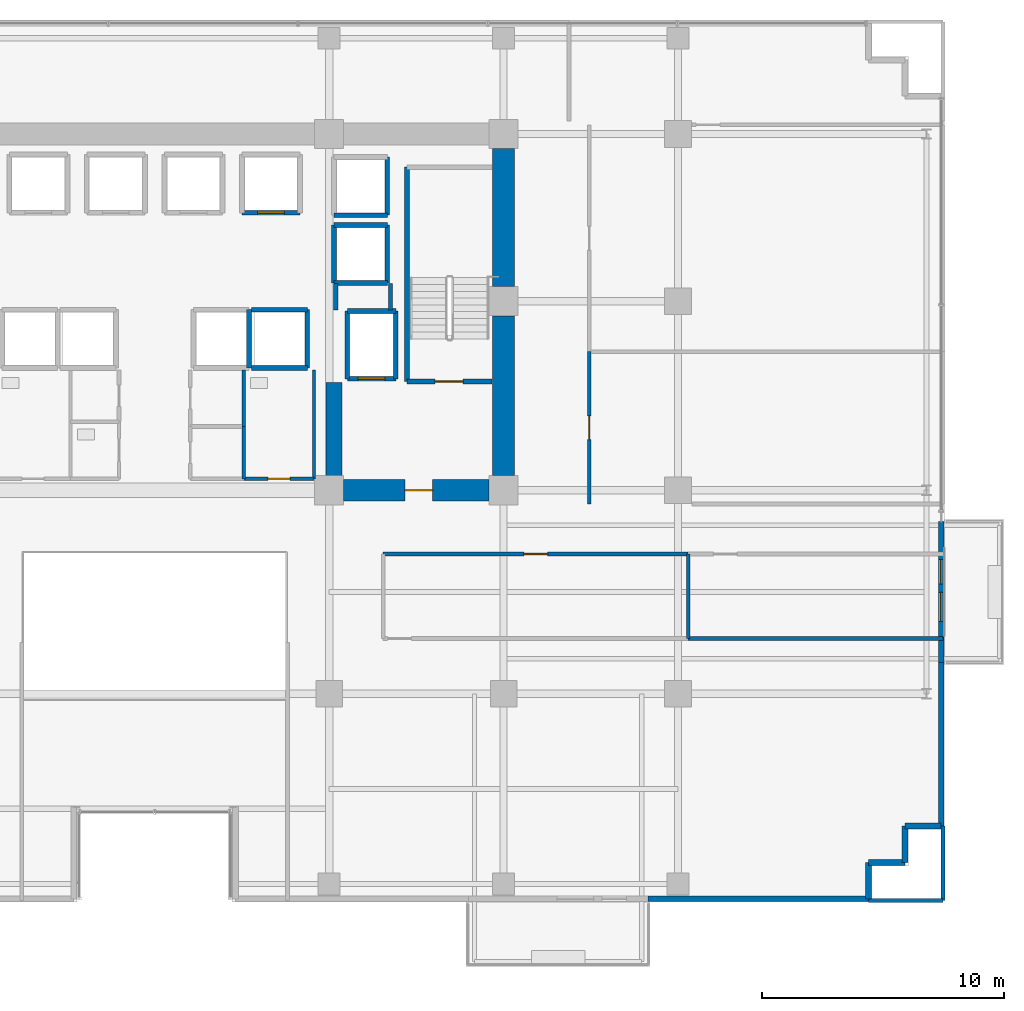
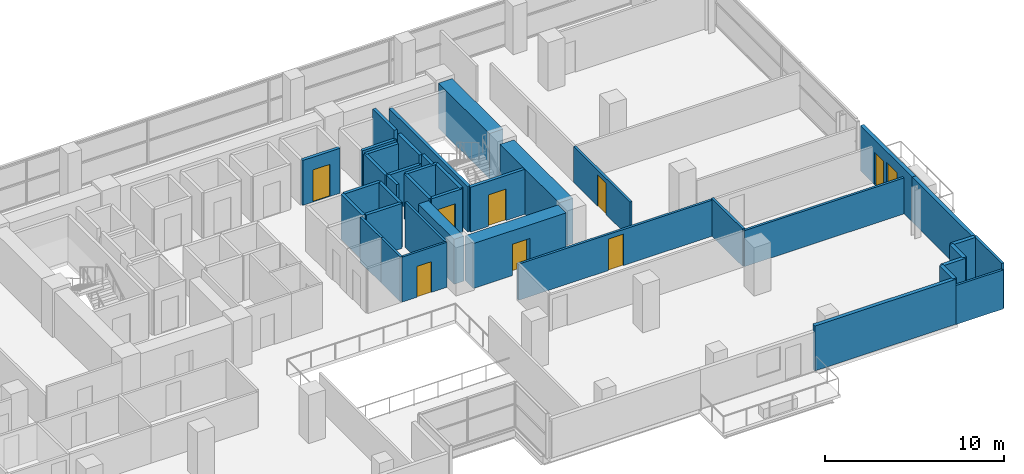
# One storey, part 21 of 26: 40 walls, 8 doors, 1 window, 9 openings.
"""IFC4 building model written with IfcOpenShell, lengths in metres."""

import ifcopenshell
import ifcopenshell.guid

model = None  # the IFC model being written
_history = None  # IfcOwnerHistory: only IFC2X3 demands one
_inside = {}  # id of a spatial element -> (the spatial element, [elements in it])
_under = {}  # id of a project, library or spatial element -> (it, [spatial elements below it])
_declared = {}  # id of a project -> (the project, [libraries it declares])
_typed = {}  # id of a type object -> (the type object, [elements of that type])
_made_of = {}  # id of a material, layer set ... -> (it, [elements and type objects made of it])


def new_model(schema):
    """Start an empty IFC model of exactly this schema.

    Asked for "IFC4X3", IfcOpenShell would pick the latest addendum, in which some entities
    have other attributes; the version numbers below select the first issue.
    IFC2X3 requires an IfcOwnerHistory on every rooted entity: one is made here for all.
    """
    global model, _history
    if schema == "IFC4X3":
        model = ifcopenshell.file(schema_version=(4, 3, 0, 0))
    else:
        model = ifcopenshell.file(schema=schema)
    _inside.clear()
    _under.clear()
    _declared.clear()
    _typed.clear()
    _made_of.clear()
    _history = None
    if model.schema == "IFC2X3":
        org = make("IfcOrganization", Name="unknown")
        user = make(
            "IfcPersonAndOrganization",
            ThePerson=make("IfcPerson", FamilyName="unknown"),
            TheOrganization=org,
        )
        app = make(
            "IfcApplication",
            ApplicationDeveloper=org,
            Version="unknown",
            ApplicationFullName="unknown",
            ApplicationIdentifier="unknown",
        )
        _history = make(
            "IfcOwnerHistory",
            OwningUser=user,
            OwningApplication=app,
            ChangeAction="ADDED",
            CreationDate=0,
        )
    return model


def make(cls, **values):
    """One entity of the class cls with the attributes given. An attribute that is None is left unset."""
    return model.create_entity(
        cls, **{name: value for name, value in values.items() if value is not None}
    )


def rooted(cls, **values):
    """An entity with a GlobalId (a new one), such as an element, a storey or a relation."""
    return make(cls, GlobalId=ifcopenshell.guid.new(), OwnerHistory=_history, **values)


def si_unit(unit_type, name, prefix=None):
    """IfcSIUnit, for example si_unit("LENGTHUNIT", "METRE", prefix="MILLI")."""
    return make("IfcSIUnit", UnitType=unit_type, Prefix=prefix, Name=name)


def assignment(units):
    """IfcUnitAssignment: the units of a project."""
    return None if units is None else make("IfcUnitAssignment", Units=units)


def point(xyz):
    """IfcCartesianPoint."""
    return None if xyz is None else make("IfcCartesianPoint", Coordinates=xyz)


def direction(xyz):
    """IfcDirection."""
    return None if xyz is None else make("IfcDirection", DirectionRatios=xyz)


def frame(location, z_axis=None, x_axis=None):
    """IfcAxis2Placement3D, a coordinate frame: its origin and axes. An axis left out is left unset."""
    return make(
        "IfcAxis2Placement3D",
        Location=point(location),
        Axis=direction(z_axis),
        RefDirection=direction(x_axis),
    )


def frame_2d(location, x_axis=None):
    """IfcAxis2Placement2D, a coordinate frame in the plane: its origin and x axis."""
    return make(
        "IfcAxis2Placement2D", Location=point(location), RefDirection=direction(x_axis)
    )


def origin():
    """The frame at (0, 0, 0) with its axes left unset."""
    return frame((0.0, 0.0, 0.0))


def place(relative_to, where):
    """IfcLocalPlacement: puts the frame where relative to a parent placement (None: the world)."""
    return make(
        "IfcLocalPlacement", PlacementRelTo=relative_to, RelativePlacement=where
    )


def context(
    kind, dimensions, precision=None, world=None, true_north=None, identifier=None
):
    """IfcGeometricRepresentationContext, for example the 3D "Model" context."""
    return make(
        "IfcGeometricRepresentationContext",
        ContextIdentifier=identifier,
        ContextType=kind,
        CoordinateSpaceDimension=dimensions,
        Precision=precision,
        WorldCoordinateSystem=world,
        TrueNorth=true_north,
    )


def subcontext(parent, identifier, kind, view, scale=None):
    """IfcGeometricRepresentationSubContext, for example "Body" below "Model"."""
    return make(
        "IfcGeometricRepresentationSubContext",
        ContextIdentifier=identifier,
        ContextType=kind,
        ParentContext=parent,
        TargetScale=scale,
        TargetView=view,
    )


def project(units=None, contexts=None):
    """IfcProject with its units and contexts."""
    return rooted(
        "IfcProject",
        Name="project",
        RepresentationContexts=contexts,
        UnitsInContext=assignment(units),
    )


def spatial(cls, under=None, at=None, **own):
    """A site, building, storey or space (cls), placed at a placement, below another one or the project."""
    s = rooted(cls, ObjectPlacement=at, **own)
    if under is not None:
        _under.setdefault(under.id(), (under, []))[1].append(s)
    return s


def profile(cls, at=None, kind="AREA", **sizes):
    """A parametric profile (cls). Its sizes go by their IFC names, for example OverallWidth=200.0."""
    return make(cls, ProfileType=kind, Position=at, **sizes)


def rectangle(**sizes):
    """IfcRectangleProfileDef."""
    return profile("IfcRectangleProfileDef", **sizes)


def extrude(swept, where, along, depth):
    """IfcExtrudedAreaSolid: the profile swept, set in the frame where, extruded along a direction by depth."""
    return make(
        "IfcExtrudedAreaSolid",
        SweptArea=swept,
        Position=where,
        ExtrudedDirection=direction(along),
        Depth=depth,
    )


def shape(context_of_items, identifier, shape_type, items):
    """IfcShapeRepresentation: the items that make up one representation, for example the "Body"."""
    return make(
        "IfcShapeRepresentation",
        ContextOfItems=context_of_items,
        RepresentationIdentifier=identifier,
        RepresentationType=shape_type,
        Items=items,
    )


def source(mapping_origin, context_of_items, identifier, shape_type, items):
    """IfcRepresentationMap: a shape defined once, which mapped items show again and again."""
    return make(
        "IfcRepresentationMap",
        MappingOrigin=mapping_origin,
        MappedRepresentation=shape(context_of_items, identifier, shape_type, items),
    )


def transform(
    local_origin,
    x_axis=None,
    y_axis=None,
    z_axis=None,
    scale=None,
    scale2=None,
    scale3=None,
    uniform=True,
):
    """IfcCartesianTransformationOperator3D, or its non-uniform kind. x_axis, y_axis, z_axis: its Axis1, 2, 3."""
    if uniform:
        return make(
            "IfcCartesianTransformationOperator3D",
            Axis1=direction(x_axis),
            Axis2=direction(y_axis),
            LocalOrigin=point(local_origin),
            Scale=scale,
            Axis3=direction(z_axis),
        )
    return make(
        "IfcCartesianTransformationOperator3DnonUniform",
        Axis1=direction(x_axis),
        Axis2=direction(y_axis),
        LocalOrigin=point(local_origin),
        Scale=scale,
        Axis3=direction(z_axis),
        Scale2=scale2,
        Scale3=scale3,
    )


def mapped(mapping_source, mapping_target):
    """IfcMappedItem: shows the shape of a source again, moved by a transform."""
    return make(
        "IfcMappedItem", MappingSource=mapping_source, MappingTarget=mapping_target
    )


def material(Name=None, Category=None):
    """IfcMaterial."""
    return make("IfcMaterial", Name=Name, Category=Category)


def layer(
    of_material, thickness, ventilated=None, Name=None, Category=None, Priority=None
):
    """IfcMaterialLayer: one layer of a wall or slab, of a material (None: an air gap)."""
    return make(
        "IfcMaterialLayer",
        Material=of_material,
        LayerThickness=thickness,
        IsVentilated=ventilated,
        Name=Name,
        Category=Category,
        Priority=Priority,
    )


def layer_set(layers, Name=None):
    """IfcMaterialLayerSet."""
    return make("IfcMaterialLayerSet", MaterialLayers=layers, LayerSetName=Name)


def made_of(thing, what):
    """Note that an element or type object is made of a material, layer set ...; save() writes the relation."""
    if what is not None:
        _made_of.setdefault(what.id(), (what, []))[1].append(thing)
    return thing


def type_object(cls, material=None, **own):
    """A type object (cls), such as IfcWallType, which elements share."""
    return made_of(rooted(cls, **own), material)


def element(
    cls,
    number,
    at=None,
    inside=None,
    cuts=None,
    type_object=None,
    material=None,
    context=None,
    identifier="Body",
    shape_type=None,
    held_by="IfcProductDefinitionShape",
    body=None,
    shapes=None,
    **own,
):
    """One element of the class cls, such as IfcWall. Its Tag is "e" and its number.

    at: its placement. inside: the storey or other place that contains it. cuts: it is an
    opening in that element (IfcRelVoidsElement). A single representation is given by context,
    identifier, shape_type and body (its items); several are given by shapes. held_by: the class
    of the entity that holds the representations. save() writes the other relations.
    """
    e = rooted(cls, Tag="e%d" % number, ObjectPlacement=at, **own)
    if body is not None:
        shapes = [shape(context, identifier, shape_type, body)]
    if shapes is not None:
        e.Representation = make(held_by, Representations=shapes)
    if inside is not None:
        _inside.setdefault(inside.id(), (inside, []))[1].append(e)
    if cuts is not None:
        rooted(
            "IfcRelVoidsElement", RelatingBuildingElement=cuts, RelatedOpeningElement=e
        )
    if type_object is not None:
        _typed.setdefault(type_object.id(), (type_object, []))[1].append(e)
    return made_of(e, material)


def fill(opening, filler):
    """IfcRelFillsElement: the door or window that sits in an opening."""
    return rooted(
        "IfcRelFillsElement",
        RelatingOpeningElement=opening,
        RelatedBuildingElement=filler,
    )


def aggregate(whole, parts):
    """IfcRelAggregates: a whole, such as a stair, and the parts it consists of."""
    return rooted("IfcRelAggregates", RelatingObject=whole, RelatedObjects=parts)


def save(model, path):
    """Write the relations noted so far, then the file.

    IfcRelAggregates (storeys below a building ...), IfcRelContainedInSpatialStructure (elements
    in a storey), IfcRelDefinesByType, IfcRelAssociatesMaterial and IfcRelDeclares: one each for
    every whole, place, type object, material and project.
    """
    for whole, parts in _under.values():
        aggregate(whole, parts)
    for where, things in _inside.values():
        rooted(
            "IfcRelContainedInSpatialStructure",
            RelatedElements=things,
            RelatingStructure=where,
        )
    for kind, things in _typed.values():
        rooted("IfcRelDefinesByType", RelatedObjects=things, RelatingType=kind)
    for what, things in _made_of.values():
        rooted("IfcRelAssociatesMaterial", RelatedObjects=things, RelatingMaterial=what)
    for by, libraries in _declared.values():
        rooted("IfcRelDeclares", RelatingContext=by, RelatedDefinitions=libraries)
    model.write(path)


model = new_model("IFC4")

# Units and contexts
model_context = context("Model", 3, precision=1e-05, world=origin(), true_north=direction((0.0, 1.0)))
body_context = subcontext(model_context, "Body", "Model", "MODEL_VIEW")
ifc_project = project(units=[si_unit("LENGTHUNIT", "METRE"), si_unit("AREAUNIT", "SQUARE_METRE"), si_unit("VOLUMEUNIT", "CUBIC_METRE"), si_unit("PLANEANGLEUNIT", "RADIAN"), si_unit("MASSUNIT", "GRAM", prefix="KILO")], contexts=[model_context])

# Site, building, storey
site_placement = place(None, origin())
site = spatial("IfcSite", under=ifc_project, at=site_placement, CompositionType="ELEMENT")
building_placement = place(site_placement, origin())
building = spatial("IfcBuilding", under=site, at=building_placement, Name="Zarnakvel Exchange Tower", CompositionType="ELEMENT")
storey_placement = place(building_placement, frame((0.0, 0.0, 70.300048828125)))
storey = spatial("IfcBuildingStorey", under=building, at=storey_placement, Name="L19", CompositionType="ELEMENT", Elevation=70.300048828125)

# Walls
ifc_material_1 = material(Name="Concrete C80/95", Category="concrete")
ifc_layer_1 = layer(ifc_material_1, 0.89990234375)
ifc_layer_set_1 = layer_set([ifc_layer_1], Name="Concrete C80/95")
wall_type_1 = type_object("IfcWallType", Name="CW-C1", PredefinedType="SHEAR", material=ifc_layer_set_1)
wall_1_placement = place(storey_placement, frame((14.39990234375, -0.60009765625, 0.0), z_axis=(0.0, 0.0, 1.0), x_axis=(0.0, 1.0, 0.0)))
element("IfcWall", 1, at=wall_1_placement, inside=storey, type_object=wall_type_1, Name="L19 Rear Core Shear Wall E1 (CW-C1)", PredefinedType="SHEAR", context=body_context, shape_type="SweptSolid", body=[
    extrude(rectangle(XDim=6.60009765625, YDim=0.89990234375, at=frame_2d((3.300048828125, 0.0))), origin(), (0.0, 0.0, 1.0), 3.074951171875),
])
wall_2_placement = place(storey_placement, frame((14.39990234375, 7.199951171875, 0.0), z_axis=(0.0, 0.0, 1.0), x_axis=(0.0, 1.0, 0.0)))
element("IfcWall", 2, at=wall_2_placement, inside=storey, type_object=wall_type_1, Name="L19 Rear Core Shear Wall E2 (CW-C1)", PredefinedType="SHEAR", context=body_context, shape_type="SweptSolid", body=[
    extrude(rectangle(XDim=5.699951171875, YDim=0.89990234375, at=frame_2d((2.85009765625, 0.0))), origin(), (0.0, 0.0, 1.0), 3.074951171875),
])

# Wall, opening, door
wall_3_placement = place(storey_placement, frame((13.800048828125, -1.199951171875, 0.0), z_axis=(0.0, 0.0, 1.0), x_axis=(-1.0, 0.0, 0.0)))
wall_3 = element("IfcWall", 3, at=wall_3_placement, inside=storey, type_object=wall_type_1, Name="L19 Rear Core Shear Wall SE (CW-C1)", PredefinedType="SHEAR", context=body_context, shape_type="SweptSolid", body=[
    extrude(rectangle(XDim=6.0, YDim=0.89990234375, at=frame_2d((3.0, 0.0))), origin(), (0.0, 0.0, 1.0), 3.074951171875),
])
opening_1_placement = place(wall_3_placement, frame((2.324951171875, 0.0, 0.0)))
opening_1 = element("IfcOpeningElement", 4, at=opening_1_placement, cuts=wall_3, Name="Opening D-L19-04", PredefinedType="OPENING", context=body_context, shape_type="SweptSolid", body=[
    extrude(rectangle(XDim=1.14990234375, YDim=2.14990234375, at=frame_2d((0.574951171875, 1.074951171875))), frame((0.0, 0.4599609375, 0.0), z_axis=(0.0, -1.0, 0.0), x_axis=(1.0, 0.0, 0.0)), (0.0, 0.0, 1.0), 0.919921875),
])
ifc_material_2 = material(Name="Painted Galvanised Steel S355", Category="steel")
door_type_1 = type_object("IfcDoorType", Name="DT-04", OperationType="NOTDEFINED", PredefinedType="DOOR", material=ifc_material_2)
shared_shape_1 = source(origin(), body_context, "Body", "SweptSolid", [
    extrude(rectangle(XDim=1.14990234375, YDim=2.14990234375, at=frame_2d((0.574951171875, 1.074951171875))), frame((0.0, 0.02490234375, 0.0), z_axis=(0.0, -1.0, 0.0), x_axis=(1.0, 0.0, 0.0)), (0.0, 0.0, 1.0), 0.050048828125),
])
door_1_placement = place(opening_1_placement, origin())
door_1 = element("IfcDoor", 5, at=door_1_placement, inside=storey, type_object=door_type_1, Name="L19 Firefighting Lobby East Door D-L19-04", OperationType="SINGLE_SWING_RIGHT", OverallHeight=2.14990234375, OverallWidth=1.14990234375, PredefinedType="DOOR", context=body_context, shape_type="MappedRepresentation", body=[
    mapped(shared_shape_1, transform((0.0, 0.0, 0.0), x_axis=(1.0, 0.0, 0.0), y_axis=(0.0, 1.0, 0.0), z_axis=(0.0, 0.0, 1.0), scale=1.0)),
])
fill(opening_1, door_1)

# Wall
ifc_layer_2 = layer(ifc_material_1, 0.64990234375)
ifc_layer_set_2 = layer_set([ifc_layer_2], Name="Concrete C80/95")
wall_type_2 = type_object("IfcWallType", Name="CW-C2", PredefinedType="SHEAR", material=ifc_layer_set_2)
wall_4_placement = place(storey_placement, frame((7.39990234375, -0.75, 0.0), z_axis=(0.0, 0.0, 1.0), x_axis=(0.0, 1.0, 0.0)))
element("IfcWall", 6, at=wall_4_placement, inside=storey, type_object=wall_type_2, Name="L19 Rear Core Shear Wall IE (CW-C2)", PredefinedType="SHEAR", context=body_context, shape_type="SweptSolid", body=[
    extrude(rectangle(XDim=4.0, YDim=0.64990234375, at=frame_2d((2.0, 0.0))), origin(), (0.0, 0.0, 1.0), 3.074951171875),
])

# Wall, openings, door, window
ifc_material_3 = material(Name="Precast concrete C40/50", Category="concrete")
ifc_layer_3 = layer(ifc_material_3, 0.239990234375)
ifc_layer_set_3 = layer_set([ifc_layer_3], Name="Precast concrete C40/50")
wall_type_3 = type_object("IfcWallType", Name="EW-02", PredefinedType="SOLIDWALL", material=ifc_layer_set_3)
wall_5_placement = place(storey_placement, frame((32.4599609375, -2.5, 0.0), z_axis=(0.0, 0.0, 1.0), x_axis=(0.0, -1.0, 0.0)))
wall_5 = element("IfcWall", 7, at=wall_5_placement, inside=storey, type_object=wall_type_3, Name="L19 Exterior Precast Spandrel Wall EW-BAL-L19-E (EW-02)", PredefinedType="SOLIDWALL", context=body_context, shape_type="SweptSolid", body=[
    extrude(rectangle(XDim=5.800048828125, YDim=0.239990234375, at=frame_2d((2.89990234375, 0.0))), origin(), (0.0, 0.0, 1.0), 3.074951171875),
])
opening_2_placement = place(wall_5_placement, frame((1.56591796875, 0.0, 0.0)))
opening_2 = element("IfcOpeningElement", 8, at=opening_2_placement, cuts=wall_5, Name="Opening BD-L19-03", PredefinedType="OPENING", context=body_context, shape_type="SweptSolid", body=[
    extrude(rectangle(XDim=1.0, YDim=2.199951171875, at=frame_2d((0.5, 1.10009765625))), frame((0.0, 0.1298828125, 0.0), z_axis=(0.0, -1.0, 0.0), x_axis=(1.0, 0.0, 0.0)), (0.0, 0.0, 1.0), 0.260009765625),
])
opening_3_placement = place(wall_5_placement, frame((2.916015625, 0.0, 0.85009765625)))
opening_3 = element("IfcOpeningElement", 9, at=opening_3_placement, cuts=wall_5, Name="Opening WN-04", PredefinedType="OPENING", context=body_context, shape_type="SweptSolid", body=[
    extrude(rectangle(XDim=1.199951171875, YDim=1.5, at=frame_2d((0.60009765625, 0.75))), frame((0.0, 0.1298828125, 0.0), z_axis=(0.0, -1.0, 0.0), x_axis=(1.0, 0.0, 0.0)), (0.0, 0.0, 1.0), 0.260009765625),
])
ifc_material_4 = material(Name="Architectural Bronze Anodised Aluminium", Category="aluminium")
door_type_2 = type_object("IfcDoorType", Name="DT-09", OperationType="NOTDEFINED", PredefinedType="DOOR", material=ifc_material_4)
shared_shape_2 = source(origin(), body_context, "Body", "SweptSolid", [
    extrude(rectangle(XDim=1.0, YDim=2.199951171875, at=frame_2d((0.5, 1.10009765625))), frame((0.0, 0.02490234375, 0.0), z_axis=(0.0, -1.0, 0.0), x_axis=(1.0, 0.0, 0.0)), (0.0, 0.0, 1.0), 0.050048828125),
])
door_2_placement = place(opening_2_placement, origin())
door_2 = element("IfcDoor", 10, at=door_2_placement, inside=storey, type_object=door_type_2, Name="L19 Planted Loggia Balcony Door BD-L19-03", OperationType="SINGLE_SWING_LEFT", OverallHeight=2.199951171875, OverallWidth=1.0, PredefinedType="DOOR", context=body_context, shape_type="MappedRepresentation", body=[
    mapped(shared_shape_2, transform((0.0, 0.0, 0.0), x_axis=(1.0, 0.0, 0.0), y_axis=(0.0, 1.0, 0.0), z_axis=(0.0, 0.0, 1.0), scale=1.0)),
])
fill(opening_2, door_2)
ifc_material_5 = material(Name="Double Low-E Laminated Vision Glass", Category="glass")
window_type = type_object("IfcWindowType", Name="WN-04", PartitioningType="SINGLE_PANEL", PredefinedType="WINDOW", material=ifc_material_5)
shared_shape_3 = source(origin(), body_context, "Body", "SweptSolid", [
    extrude(rectangle(XDim=1.199951171875, YDim=1.5, at=frame_2d((0.60009765625, 0.75))), frame((0.0, 0.030029296875, 0.0), z_axis=(0.0, -1.0, 0.0), x_axis=(1.0, 0.0, 0.0)), (0.0, 0.0, 1.0), 0.06005859375),
])
window_placement = place(opening_3_placement, origin())
window = element("IfcWindow", 11, at=window_placement, inside=storey, type_object=window_type, Name="L19 Loggia Daylight Window (WN-04)", OverallHeight=1.5, OverallWidth=1.199951171875, PartitioningType="SINGLE_PANEL", PredefinedType="WINDOW", context=body_context, shape_type="MappedRepresentation", body=[
    mapped(shared_shape_3, transform((0.0, 0.0, 0.0), x_axis=(1.0, 0.0, 0.0), y_axis=(0.0, 1.0, 0.0), z_axis=(0.0, 0.0, 1.0), scale=1.0)),
])
fill(opening_3, window)

# Walls
wall_6_placement = place(storey_placement, frame((32.4599609375, -15.06005859375, 0.0), z_axis=(0.0, 0.0, 1.0), x_axis=(0.0, 1.0, 0.0)))
element("IfcWall", 12, at=wall_6_placement, inside=storey, type_object=wall_type_3, Name="L19 Exterior Precast Spandrel Wall EWC-L19-10 (EW-02)", PredefinedType="SOLIDWALL", context=body_context, shape_type="SweptSolid", body=[
    extrude(rectangle(XDim=6.760009765625, YDim=0.239990234375, at=frame_2d((3.3798828125, 0.0))), origin(), (0.0, 0.0, 1.0), 3.074951171875),
])
for number, where, z_axis, x_axis, name in (
    (13, (30.9599609375, -15.06005859375, 0.0), (0.0, 0.0, 1.0), (1.0, 0.0, 0.0), "L19 Exterior Precast Spandrel Wall EWC-L19-11 (EW-02)"),
    (14, (30.9599609375, -16.56005859375, 0.0), (0.0, 0.0, 1.0), (0.0, 1.0, 0.0), "L19 Exterior Precast Spandrel Wall EWC-L19-12 (EW-02)"),
    (15, (29.4599609375, -16.56005859375, 0.0), (0.0, 0.0, 1.0), (1.0, 0.0, 0.0), "L19 Exterior Precast Spandrel Wall EWC-L19-13 (EW-02)"),
    (16, (29.4599609375, -18.06005859375, 0.0), (0.0, 0.0, 1.0), (0.0, 1.0, 0.0), "L19 Exterior Precast Spandrel Wall EWC-L19-14 (EW-02)"),
):
    element("IfcWall", number, at=place(storey_placement, frame(where, z_axis=z_axis, x_axis=x_axis)), inside=storey, type_object=wall_type_3, Name=name, PredefinedType="SOLIDWALL", context=body_context, shape_type="SweptSolid", body=[
        extrude(rectangle(XDim=1.5, YDim=0.239990234375, at=frame_2d((0.75, 0.0))), origin(), (0.0, 0.0, 1.0), 3.074951171875),
    ])
wall_7_placement = place(storey_placement, frame((20.35009765625, -18.06005859375, 0.0), z_axis=(0.0, 0.0, 1.0), x_axis=(1.0, 0.0, 0.0)))
element("IfcWall", 17, at=wall_7_placement, inside=storey, type_object=wall_type_3, Name="L19 Exterior Precast Spandrel Wall EWC-L19-15 (EW-02)", PredefinedType="SOLIDWALL", context=body_context, shape_type="SweptSolid", body=[
    extrude(rectangle(XDim=9.10986328125, YDim=0.239990234375, at=frame_2d((4.554931640625, 0.0))), origin(), (0.0, 0.0, 1.0), 3.074951171875),
])
ifc_material_6 = material(Name="Fire-Rated Gypsum Stud Partition", Category="gypsum")
ifc_layer_4 = layer(ifc_material_6, 0.14990234375)
ifc_layer_set_4 = layer_set([ifc_layer_4], Name="Fire-Rated Gypsum Stud Partition")
wall_type_4 = type_object("IfcWallType", Name="PT-01", PredefinedType="PARTITIONING", material=ifc_layer_set_4)
wall_8_placement = place(storey_placement, frame((3.679931640625, 1.429931640625, 0.0), z_axis=(0.0, 0.0, 1.0), x_axis=(0.0, -1.0, 0.0)))
element("IfcWall", 18, at=wall_8_placement, inside=storey, type_object=wall_type_4, Name="L19 Partition Wall PWALL-L19-021 (PT-01)", PredefinedType="PARTITIONING", context=body_context, shape_type="SweptSolid", body=[
    extrude(rectangle(XDim=2.159912109375, YDim=0.14990234375, at=frame_2d((1.080078125, 0.0))), origin(), (0.0, 0.0, 1.0), 3.074951171875),
])
wall_9_placement = place(storey_placement, frame((3.679931640625, 3.760009765625, 0.0), z_axis=(0.0, 0.0, 1.0), x_axis=(0.0, -1.0, 0.0)))
element("IfcWall", 19, at=wall_9_placement, inside=storey, type_object=wall_type_4, Name="L19 Partition Wall PWALL-L19-023 (PT-01)", PredefinedType="PARTITIONING", context=body_context, shape_type="SweptSolid", body=[
    extrude(rectangle(XDim=2.330078125, YDim=0.14990234375, at=frame_2d((1.1650390625, 0.0))), origin(), (0.0, 0.0, 1.0), 3.074951171875),
])

# Wall, opening, door
wall_10_placement = place(storey_placement, frame((9.429931640625, -3.830078125, 0.0), z_axis=(0.0, 0.0, 1.0), x_axis=(1.0, 0.0, 0.0)))
wall_10 = element("IfcWall", 20, at=wall_10_placement, inside=storey, type_object=wall_type_4, Name="L19 Partition Wall PWALL-L19-040 (PT-01)", PredefinedType="PARTITIONING", context=body_context, shape_type="SweptSolid", body=[
    extrude(rectangle(XDim=12.58544921875, YDim=0.14990234375, at=frame_2d((6.292724609375, 0.0))), origin(), (0.0, 0.0, 1.0), 2.46484375),
])
opening_4_placement = place(wall_10_placement, frame((5.802978515625, 0.0, 0.0)))
opening_4 = element("IfcOpeningElement", 21, at=opening_4_placement, cuts=wall_10, Name="Opening D-L19-15", PredefinedType="OPENING", context=body_context, shape_type="SweptSolid", body=[
    extrude(rectangle(XDim=0.97998046875, YDim=2.14990234375, at=frame_2d((0.489990234375, 1.074951171875))), frame((0.0, 0.0849609375, 0.0), z_axis=(0.0, -1.0, 0.0), x_axis=(1.0, 0.0, 0.0)), (0.0, 0.0, 1.0), 0.169921875),
])
ifc_material_7 = material(Name="Timber Acoustic Veneer", Category="wood")
door_type_3 = type_object("IfcDoorType", Name="DT-05", OperationType="NOTDEFINED", PredefinedType="DOOR", material=ifc_material_7)
shared_shape_4 = source(origin(), body_context, "Body", "SweptSolid", [
    extrude(rectangle(XDim=0.97998046875, YDim=2.14990234375, at=frame_2d((0.489990234375, 1.074951171875))), frame((0.0, 0.02490234375, 0.0), z_axis=(0.0, -1.0, 0.0), x_axis=(1.0, 0.0, 0.0)), (0.0, 0.0, 1.0), 0.050048828125),
])
door_3_placement = place(opening_4_placement, origin())
door_3 = element("IfcDoor", 22, at=door_3_placement, inside=storey, type_object=door_type_3, Name="L19 Meeting Room Door D-L19-15", OperationType="SINGLE_SWING_LEFT", OverallHeight=2.14990234375, OverallWidth=0.97998046875, PredefinedType="DOOR", context=body_context, shape_type="MappedRepresentation", body=[
    mapped(shared_shape_4, transform((0.0, 0.0, 0.0), x_axis=(1.0, 0.0, 0.0), y_axis=(0.0, 1.0, 0.0), z_axis=(0.0, 0.0, 1.0), scale=1.0)),
])
fill(opening_4, door_3)

# Walls
wall_11_placement = place(storey_placement, frame((22.015380859375, -3.830078125, 0.0), z_axis=(0.0, 0.0, 1.0), x_axis=(0.0, -1.0, 0.0)))
element("IfcWall", 23, at=wall_11_placement, inside=storey, type_object=wall_type_4, Name="L19 Partition Wall PWALL-L19-042 (PT-01)", PredefinedType="PARTITIONING", context=body_context, shape_type="SweptSolid", body=[
    extrude(rectangle(XDim=3.489990234375, YDim=0.14990234375, at=frame_2d((1.7451171875, 0.0))), origin(), (0.0, 0.0, 1.0), 2.56494140625),
])
wall_12_placement = place(storey_placement, frame((32.530029296875, -7.320068359375, 0.0), z_axis=(0.0, 0.0, 1.0), x_axis=(-1.0, 0.0, 0.0)))
element("IfcWall", 24, at=wall_12_placement, inside=storey, type_object=wall_type_4, Name="L19 Partition Wall PWALL-L19-043 (PT-01)", PredefinedType="PARTITIONING", context=body_context, shape_type="SweptSolid", body=[
    extrude(rectangle(XDim=10.5146484375, YDim=0.14990234375, at=frame_2d((5.25732421875, 0.0))), origin(), (0.0, 0.0, 1.0), 2.46484375),
])
wall_13_placement = place(storey_placement, frame((32.530029296875, -18.1298828125, 0.0), z_axis=(0.0, 0.0, 1.0), x_axis=(-1.0, 0.0, 0.0)))
element("IfcWall", 25, at=wall_13_placement, inside=storey, type_object=wall_type_4, Name="L19 Partition Wall PWALL-L19-046 (PT-01)", PredefinedType="PARTITIONING", context=body_context, shape_type="SweptSolid", body=[
    extrude(rectangle(XDim=3.070068359375, YDim=0.14990234375, at=frame_2d((1.53515625, 0.0))), origin(), (0.0, 0.0, 1.0), 2.6650390625),
])
wall_14_placement = place(storey_placement, frame((32.530029296875, -15.06005859375, 0.0), z_axis=(0.0, 0.0, 1.0), x_axis=(0.0, -1.0, 0.0)))
element("IfcWall", 26, at=wall_14_placement, inside=storey, type_object=wall_type_4, Name="L19 Partition Wall PWALL-L19-048 (PT-01)", PredefinedType="PARTITIONING", context=body_context, shape_type="SweptSolid", body=[
    extrude(rectangle(XDim=3.06982421875, YDim=0.14990234375, at=frame_2d((1.534912109375, 0.0))), origin(), (0.0, 0.0, 1.0), 3.074951171875),
])

# Wall, opening, door
wall_15_placement = place(storey_placement, frame((17.929931640625, -1.77001953125, 0.0), z_axis=(0.0, 0.0, 1.0), x_axis=(0.0, 1.0, 0.0)))
wall_15 = element("IfcWall", 27, at=wall_15_placement, inside=storey, type_object=wall_type_4, Name="L19 Partition Wall PWALL-L19-060 (PT-01)", PredefinedType="PARTITIONING", context=body_context, shape_type="SweptSolid", body=[
    extrude(rectangle(XDim=6.2919921875, YDim=0.14990234375, at=frame_2d((3.14599609375, 0.0))), origin(), (0.0, 0.0, 1.0), 2.46484375),
])
opening_5_placement = place(wall_15_placement, frame((2.656005859375, 0.0, 0.0)))
opening_5 = element("IfcOpeningElement", 28, at=opening_5_placement, cuts=wall_15, Name="Opening D-L19-21", PredefinedType="OPENING", context=body_context, shape_type="SweptSolid", body=[
    extrude(rectangle(XDim=0.97998046875, YDim=2.14990234375, at=frame_2d((0.489990234375, 1.074951171875))), frame((0.0, 0.0849609375, 0.0), z_axis=(0.0, -1.0, 0.0), x_axis=(1.0, 0.0, 0.0)), (0.0, 0.0, 1.0), 0.169921875),
])
door_4_placement = place(opening_5_placement, origin())
door_4 = element("IfcDoor", 29, at=door_4_placement, inside=storey, type_object=door_type_3, Name="L19 Staff Pantry Door D-L19-21", OperationType="SINGLE_SWING_LEFT", OverallHeight=2.14990234375, OverallWidth=0.97998046875, PredefinedType="DOOR", context=body_context, shape_type="MappedRepresentation", body=[
    mapped(shared_shape_4, transform((0.0, 0.0, 0.0), x_axis=(1.0, 0.0, 0.0), y_axis=(0.0, 1.0, 0.0), z_axis=(0.0, 0.0, 1.0), scale=1.0)),
])
fill(opening_5, door_4)

# Walls
ifc_layer_5 = layer(ifc_material_6, 0.179931640625)
ifc_layer_set_5 = layer_set([ifc_layer_5], Name="Fire-Rated Gypsum Stud Partition")
wall_type_5 = type_object("IfcWallType", Name="PT-02", PredefinedType="PARTITIONING", material=ifc_layer_set_5)
wall_16_placement = place(storey_placement, frame((7.469970703125, 6.239990234375, 0.0), z_axis=(0.0, 0.0, 1.0), x_axis=(0.0, 1.0, 0.0)))
element("IfcWall", 30, at=wall_16_placement, inside=storey, type_object=wall_type_5, Name="L19 Partition Wall PWALL-L19-009 (PT-02)", PredefinedType="PARTITIONING", context=body_context, shape_type="SweptSolid", body=[
    extrude(rectangle(XDim=1.090087890625, YDim=0.179931640625, at=frame_2d((0.544921875, 0.0))), origin(), (0.0, 0.0, 1.0), 2.46484375),
])
wall_17_placement = place(storey_placement, frame((9.72998046875, 7.330078125, 0.0), z_axis=(0.0, 0.0, 1.0), x_axis=(0.0, -1.0, 0.0)))
element("IfcWall", 31, at=wall_17_placement, inside=storey, type_object=wall_type_5, Name="L19 Partition Wall PWALL-L19-010 (PT-02)", PredefinedType="PARTITIONING", context=body_context, shape_type="SweptSolid", body=[
    extrude(rectangle(XDim=1.090087890625, YDim=0.179931640625, at=frame_2d((0.544921875, 0.0))), origin(), (0.0, 0.0, 1.0), 3.074951171875),
])

# Wall, opening, door
ifc_material_8 = material(Name="Moisture-Resistant Tile-Faced Partition", Category="gypsum")
ifc_layer_6 = layer(ifc_material_8, 0.135009765625)
ifc_layer_set_6 = layer_set([ifc_layer_6], Name="Moisture-Resistant Tile-Faced Partition")
wall_type_6 = type_object("IfcWallType", Name="PT-03", PredefinedType="PARTITIONING", material=ifc_layer_set_6)
wall_18_placement = place(storey_placement, frame((6.580078125, -0.72998046875, 0.0), z_axis=(0.0, 0.0, 1.0), x_axis=(-1.0, 0.0, 0.0)))
wall_18 = element("IfcWall", 32, at=wall_18_placement, inside=storey, type_object=wall_type_6, Name="L19 Partition Wall PWALL-L19-024 (PT-03)", PredefinedType="PARTITIONING", context=body_context, shape_type="SweptSolid", body=[
    extrude(rectangle(XDim=2.900146484375, YDim=0.135009765625, at=frame_2d((1.4501953125, 0.0))), origin(), (0.0, 0.0, 1.0), 3.074951171875),
])
opening_6_placement = place(wall_18_placement, frame((0.989990234375, 0.0, 0.0)))
opening_6 = element("IfcOpeningElement", 33, at=opening_6_placement, cuts=wall_18, Name="Opening D-L19-10", PredefinedType="OPENING", context=body_context, shape_type="SweptSolid", body=[
    extrude(rectangle(XDim=0.919921875, YDim=2.10009765625, at=frame_2d((0.4599609375, 1.050048828125))), frame((0.0, 0.077392578125, 0.0), z_axis=(0.0, -1.0, 0.0), x_axis=(1.0, 0.0, 0.0)), (0.0, 0.0, 1.0), 0.155029296875),
])
ifc_material_9 = material(Name="Moisture-Resistant Laminate Timber", Category="wood")
door_type_4 = type_object("IfcDoorType", Name="DT-07", OperationType="NOTDEFINED", PredefinedType="DOOR", material=ifc_material_9)
shared_shape_5 = source(origin(), body_context, "Body", "SweptSolid", [
    extrude(rectangle(XDim=0.919921875, YDim=2.10009765625, at=frame_2d((0.4599609375, 1.050048828125))), frame((0.0, 0.02490234375, 0.0), z_axis=(0.0, -1.0, 0.0), x_axis=(1.0, 0.0, 0.0)), (0.0, 0.0, 1.0), 0.050048828125),
])
door_5_placement = place(opening_6_placement, origin())
door_5 = element("IfcDoor", 34, at=door_5_placement, inside=storey, type_object=door_type_4, Name="L19 Female Toilet Door D-L19-10", OperationType="SINGLE_SWING_RIGHT", OverallHeight=2.10009765625, OverallWidth=0.919921875, PredefinedType="DOOR", context=body_context, shape_type="MappedRepresentation", body=[
    mapped(shared_shape_5, transform((0.0, 0.0, 0.0), x_axis=(1.0, 0.0, 0.0), y_axis=(0.0, 1.0, 0.0), z_axis=(0.0, 0.0, 1.0), scale=1.0)),
])
fill(opening_6, door_5)

# Wall
wall_19_placement = place(storey_placement, frame((6.580078125, 3.760009765625, 0.0), z_axis=(0.0, 0.0, 1.0), x_axis=(0.0, -1.0, 0.0)))
element("IfcWall", 35, at=wall_19_placement, inside=storey, type_object=wall_type_6, Name="L19 Partition Wall PWALL-L19-025 (PT-03)", PredefinedType="PARTITIONING", context=body_context, shape_type="SweptSolid", body=[
    extrude(rectangle(XDim=4.489990234375, YDim=0.135009765625, at=frame_2d((2.2451171875, 0.0))), origin(), (0.0, 0.0, 1.0), 3.074951171875),
])

# Wall, opening, door
ifc_material_10 = material(Name="Concrete C40/50", Category="concrete")
ifc_layer_7 = layer(ifc_material_10, 0.199951171875)
ifc_layer_set_7 = layer_set([ifc_layer_7], Name="Concrete C40/50")
wall_type_7 = type_object("IfcWallType", Name="SW-01", PredefinedType="SOLIDWALL", material=ifc_layer_set_7)
wall_20_placement = place(storey_placement, frame((9.949951171875, 3.39990234375, 0.0), z_axis=(0.0, 0.0, 1.0), x_axis=(-1.0, 0.0, 0.0)))
wall_20 = element("IfcWall", 36, at=wall_20_placement, inside=storey, type_object=wall_type_7, Name="L19 FL-02 Hoistway Wall South", PredefinedType="SOLIDWALL", context=body_context, shape_type="SweptSolid", body=[
    extrude(rectangle(XDim=2.0, YDim=0.199951171875, at=frame_2d((1.0, 0.0))), origin(), (0.0, 0.0, 1.0), 3.074951171875),
])
opening_7_placement = place(wall_20_placement, frame((0.449951171875, 0.0, 0.0)))
opening_7 = element("IfcOpeningElement", 37, at=opening_7_placement, cuts=wall_20, Name="Opening LD-FL-02-L19", PredefinedType="OPENING", context=body_context, shape_type="SweptSolid", body=[
    extrude(rectangle(XDim=1.10009765625, YDim=2.199951171875, at=frame_2d((0.550048828125, 1.10009765625))), frame((0.0, 0.10986328125, 0.0), z_axis=(0.0, -1.0, 0.0), x_axis=(1.0, 0.0, 0.0)), (0.0, 0.0, 1.0), 0.219970703125),
])
ifc_material_11 = material(Name="Brushed Stainless Steel", Category="steel")
door_type_5 = type_object("IfcDoorType", Name="LDT-01", OperationType="NOTDEFINED", PredefinedType="DOOR", material=ifc_material_11)
shared_shape_6 = source(origin(), body_context, "Body", "SweptSolid", [
    extrude(rectangle(XDim=1.10009765625, YDim=2.199951171875, at=frame_2d((0.550048828125, 1.10009765625))), frame((0.0, 0.02490234375, 0.0), z_axis=(0.0, -1.0, 0.0), x_axis=(1.0, 0.0, 0.0)), (0.0, 0.0, 1.0), 0.050048828125),
])
door_6_placement = place(opening_7_placement, origin())
door_6 = element("IfcDoor", 38, at=door_6_placement, inside=storey, type_object=door_type_5, Name="L19 FL-02 Lift Landing Door LD-FL-02-L19", OperationType="DOUBLE_DOOR_SLIDING", OverallHeight=2.199951171875, OverallWidth=1.10009765625, PredefinedType="DOOR", context=body_context, shape_type="MappedRepresentation", body=[
    mapped(shared_shape_6, transform((0.0, 0.0, 0.0), x_axis=(1.0, 0.0, 0.0), y_axis=(0.0, 1.0, 0.0), z_axis=(0.0, 0.0, 1.0), scale=1.0)),
])
fill(opening_7, door_6)

# Walls
wall_21_placement = place(storey_placement, frame((7.949951171875, 6.199951171875, 0.0), z_axis=(0.0, 0.0, 1.0), x_axis=(1.0, 0.0, 0.0)))
element("IfcWall", 39, at=wall_21_placement, inside=storey, type_object=wall_type_7, Name="L19 FL-02 Hoistway Wall North", PredefinedType="SOLIDWALL", context=body_context, shape_type="SweptSolid", body=[
    extrude(rectangle(XDim=2.0, YDim=0.199951171875, at=frame_2d((1.0, 0.0))), origin(), (0.0, 0.0, 1.0), 3.074951171875),
])
for number, where, z_axis, x_axis, name in (
    (40, (7.949951171875, 3.39990234375, 0.0), (0.0, 0.0, 1.0), (0.0, 1.0, 0.0), "L19 FL-02 Hoistway Wall West"),
    (41, (9.949951171875, 6.199951171875, 0.0), (0.0, 0.0, 1.0), (0.0, -1.0, 0.0), "L19 FL-02 Hoistway Wall East"),
):
    element("IfcWall", number, at=place(storey_placement, frame(where, z_axis=z_axis, x_axis=x_axis)), inside=storey, type_object=wall_type_7, Name=name, PredefinedType="SOLIDWALL", context=body_context, shape_type="SweptSolid", body=[
        extrude(rectangle(XDim=2.800048828125, YDim=0.199951171875, at=frame_2d((1.39990234375, 0.0))), origin(), (0.0, 0.0, 1.0), 3.074951171875),
    ])

# Wall, opening, door
wall_22_placement = place(storey_placement, frame((6.0, 10.25, 0.0), z_axis=(0.0, 0.0, 1.0), x_axis=(-1.0, 0.0, 0.0)))
wall_22 = element("IfcWall", 42, at=wall_22_placement, inside=storey, type_object=wall_type_7, Name="L19 PL-04 Hoistway Wall South", PredefinedType="SOLIDWALL", context=body_context, shape_type="SweptSolid", body=[
    extrude(rectangle(XDim=2.39990234375, YDim=0.199951171875, at=frame_2d((1.199951171875, 0.0))), origin(), (0.0, 0.0, 1.0), 3.074951171875),
])
opening_8_placement = place(wall_22_placement, frame((0.64990234375, 0.0, 0.0)))
opening_8 = element("IfcOpeningElement", 43, at=opening_8_placement, cuts=wall_22, Name="Opening LD-PL-04-L19", PredefinedType="OPENING", context=body_context, shape_type="SweptSolid", body=[
    extrude(rectangle(XDim=1.10009765625, YDim=2.199951171875, at=frame_2d((0.550048828125, 1.10009765625))), frame((0.0, 0.10986328125, 0.0), z_axis=(0.0, -1.0, 0.0), x_axis=(1.0, 0.0, 0.0)), (0.0, 0.0, 1.0), 0.219970703125),
])
door_type_6 = type_object("IfcDoorType", Name="LDT-02", OperationType="NOTDEFINED", PredefinedType="DOOR", material=ifc_material_4)
door_7_placement = place(opening_8_placement, origin())
door_7 = element("IfcDoor", 44, at=door_7_placement, inside=storey, type_object=door_type_6, Name="L19 PL-04 Lift Landing Door LD-PL-04-L19", OperationType="DOUBLE_DOOR_SLIDING", OverallHeight=2.199951171875, OverallWidth=1.10009765625, PredefinedType="DOOR", context=body_context, shape_type="MappedRepresentation", body=[
    mapped(shared_shape_6, transform((0.0, 0.0, 0.0), x_axis=(1.0, 0.0, 0.0), y_axis=(0.0, 1.0, 0.0), z_axis=(0.0, 0.0, 1.0), scale=1.0)),
])
fill(opening_8, door_7)

# Walls
wall_23_placement = place(storey_placement, frame((3.89990234375, 6.25, 0.0), z_axis=(0.0, 0.0, 1.0), x_axis=(0.0, -1.0, 0.0)))
element("IfcWall", 45, at=wall_23_placement, inside=storey, type_object=wall_type_7, Name="L19 PL-07 Hoistway Wall East", PredefinedType="SOLIDWALL", context=body_context, shape_type="SweptSolid", body=[
    extrude(rectangle(XDim=2.39990234375, YDim=0.199951171875, at=frame_2d((1.199951171875, 0.0))), origin(), (0.0, 0.0, 1.0), 3.074951171875),
])
for number, where, z_axis, x_axis, name in (
    (46, (6.300048828125, 3.85009765625, 0.0), (0.0, 0.0, 1.0), (-1.0, 0.0, 0.0), "L19 PL-08 Hoistway Wall South"),
    (47, (4.0, 6.25, 0.0), (0.0, 0.0, 1.0), (1.0, 0.0, 0.0), "L19 PL-08 Hoistway Wall North"),
):
    element("IfcWall", number, at=place(storey_placement, frame(where, z_axis=z_axis, x_axis=x_axis)), inside=storey, type_object=wall_type_7, Name=name, PredefinedType="SOLIDWALL", context=body_context, shape_type="SweptSolid", body=[
        extrude(rectangle(XDim=2.300048828125, YDim=0.199951171875, at=frame_2d((1.14990234375, 0.0))), origin(), (0.0, 0.0, 1.0), 3.074951171875),
    ])
wall_24_placement = place(storey_placement, frame((6.300048828125, 6.25, 0.0), z_axis=(0.0, 0.0, 1.0), x_axis=(0.0, -1.0, 0.0)))
element("IfcWall", 48, at=wall_24_placement, inside=storey, type_object=wall_type_7, Name="L19 PL-08 Hoistway Wall East", PredefinedType="SOLIDWALL", context=body_context, shape_type="SweptSolid", body=[
    extrude(rectangle(XDim=2.39990234375, YDim=0.199951171875, at=frame_2d((1.199951171875, 0.0))), origin(), (0.0, 0.0, 1.0), 3.074951171875),
])
for number, where, z_axis, x_axis, name in (
    (49, (9.60009765625, 7.35009765625, 0.0), (0.0, 0.0, 1.0), (-1.0, 0.0, 0.0), "L19 PL-11 Hoistway Wall South"),
    (50, (7.39990234375, 9.75, 0.0), (0.0, 0.0, 1.0), (1.0, 0.0, 0.0), "L19 PL-11 Hoistway Wall North"),
):
    element("IfcWall", number, at=place(storey_placement, frame(where, z_axis=z_axis, x_axis=x_axis)), inside=storey, type_object=wall_type_7, Name=name, PredefinedType="SOLIDWALL", context=body_context, shape_type="SweptSolid", body=[
        extrude(rectangle(XDim=2.2001953125, YDim=0.199951171875, at=frame_2d((1.10009765625, 0.0))), origin(), (0.0, 0.0, 1.0), 2.46484375),
    ])
wall_25_placement = place(storey_placement, frame((7.39990234375, 7.35009765625, 0.0), z_axis=(0.0, 0.0, 1.0), x_axis=(0.0, 1.0, 0.0)))
element("IfcWall", 51, at=wall_25_placement, inside=storey, type_object=wall_type_7, Name="L19 PL-11 Hoistway Wall West", PredefinedType="SOLIDWALL", context=body_context, shape_type="SweptSolid", body=[
    extrude(rectangle(XDim=2.39990234375, YDim=0.199951171875, at=frame_2d((1.199951171875, 0.0))), origin(), (0.0, 0.0, 1.0), 2.46484375),
])
wall_26_placement = place(storey_placement, frame((9.60009765625, 9.75, 0.0), z_axis=(0.0, 0.0, 1.0), x_axis=(0.0, -1.0, 0.0)))
element("IfcWall", 52, at=wall_26_placement, inside=storey, type_object=wall_type_7, Name="L19 PL-11 Hoistway Wall East", PredefinedType="SOLIDWALL", context=body_context, shape_type="SweptSolid", body=[
    extrude(rectangle(XDim=2.39990234375, YDim=0.199951171875, at=frame_2d((1.199951171875, 0.0))), origin(), (0.0, 0.0, 1.0), 3.074951171875),
])
wall_27_placement = place(storey_placement, frame((9.60009765625, 10.14990234375, 0.0), z_axis=(0.0, 0.0, 1.0), x_axis=(-1.0, 0.0, 0.0)))
element("IfcWall", 53, at=wall_27_placement, inside=storey, type_object=wall_type_7, Name="L19 PL-12 Hoistway Wall South", PredefinedType="SOLIDWALL", context=body_context, shape_type="SweptSolid", body=[
    extrude(rectangle(XDim=2.2001953125, YDim=0.199951171875, at=frame_2d((1.10009765625, 0.0))), origin(), (0.0, 0.0, 1.0), 2.46484375),
])
wall_28_placement = place(storey_placement, frame((9.60009765625, 12.550048828125, 0.0), z_axis=(0.0, 0.0, 1.0), x_axis=(0.0, -1.0, 0.0)))
element("IfcWall", 54, at=wall_28_placement, inside=storey, type_object=wall_type_7, Name="L19 PL-12 Hoistway Wall East", PredefinedType="SOLIDWALL", context=body_context, shape_type="SweptSolid", body=[
    extrude(rectangle(XDim=2.400146484375, YDim=0.199951171875, at=frame_2d((1.2001953125, 0.0))), origin(), (0.0, 0.0, 1.0), 3.074951171875),
])

# Wall, opening, door
ifc_layer_8 = layer(ifc_material_10, 0.199951171875)
ifc_layer_set_8 = layer_set([ifc_layer_8], Name="Concrete C40/50")
wall_type_8 = type_object("IfcWallType", Name="SW-02", PredefinedType="SOLIDWALL", material=ifc_layer_set_8)
wall_29_placement = place(storey_placement, frame((13.929931640625, 3.2900390625, 0.0), z_axis=(0.0, 0.0, 1.0), x_axis=(-1.0, 0.0, 0.0)))
wall_29 = element("IfcWall", 55, at=wall_29_placement, inside=storey, type_object=wall_type_8, Name="L19 Stairwell Core Wall PWALL-L19-004 (SW-02)", PredefinedType="SOLIDWALL", context=body_context, shape_type="SweptSolid", body=[
    extrude(rectangle(XDim=3.52001953125, YDim=0.199951171875, at=frame_2d((1.760009765625, 0.0))), origin(), (0.0, 0.0, 1.0), 3.074951171875),
])
opening_9_placement = place(wall_29_placement, frame((1.205078125, 0.0, 0.0)))
opening_9 = element("IfcOpeningElement", 56, at=opening_9_placement, cuts=wall_29, Name="Opening D-L19-02", PredefinedType="OPENING", context=body_context, shape_type="SweptSolid", body=[
    extrude(rectangle(XDim=1.14990234375, YDim=2.14990234375, at=frame_2d((0.574951171875, 1.074951171875))), frame((0.0, 0.10986328125, 0.0), z_axis=(0.0, -1.0, 0.0), x_axis=(1.0, 0.0, 0.0)), (0.0, 0.0, 1.0), 0.219970703125),
])
door_8_placement = place(opening_9_placement, origin())
door_8 = element("IfcDoor", 57, at=door_8_placement, inside=storey, type_object=door_type_1, Name="L19 Stairwell ST-02 Door D-L19-02", OperationType="SINGLE_SWING_RIGHT", OverallHeight=2.14990234375, OverallWidth=1.14990234375, PredefinedType="DOOR", context=body_context, shape_type="MappedRepresentation", body=[
    mapped(shared_shape_1, transform((0.0, 0.0, 0.0), x_axis=(1.0, 0.0, 0.0), y_axis=(0.0, 1.0, 0.0), z_axis=(0.0, 0.0, 1.0), scale=1.0)),
])
fill(opening_9, door_8)

# Wall
wall_30_placement = place(storey_placement, frame((10.409912109375, 3.2900390625, 0.0), z_axis=(0.0, 0.0, 1.0), x_axis=(0.0, 1.0, 0.0)))
element("IfcWall", 58, at=wall_30_placement, inside=storey, type_object=wall_type_8, Name="L19 Stairwell Core Wall PWALL-L19-006 (SW-02)", PredefinedType="SOLIDWALL", context=body_context, shape_type="SweptSolid", body=[
    extrude(rectangle(XDim=8.83984375, YDim=0.199951171875, at=frame_2d((4.419921875, 0.0))), origin(), (0.0, 0.0, 1.0), 3.074951171875),
])

save(model, "model.ifc")
